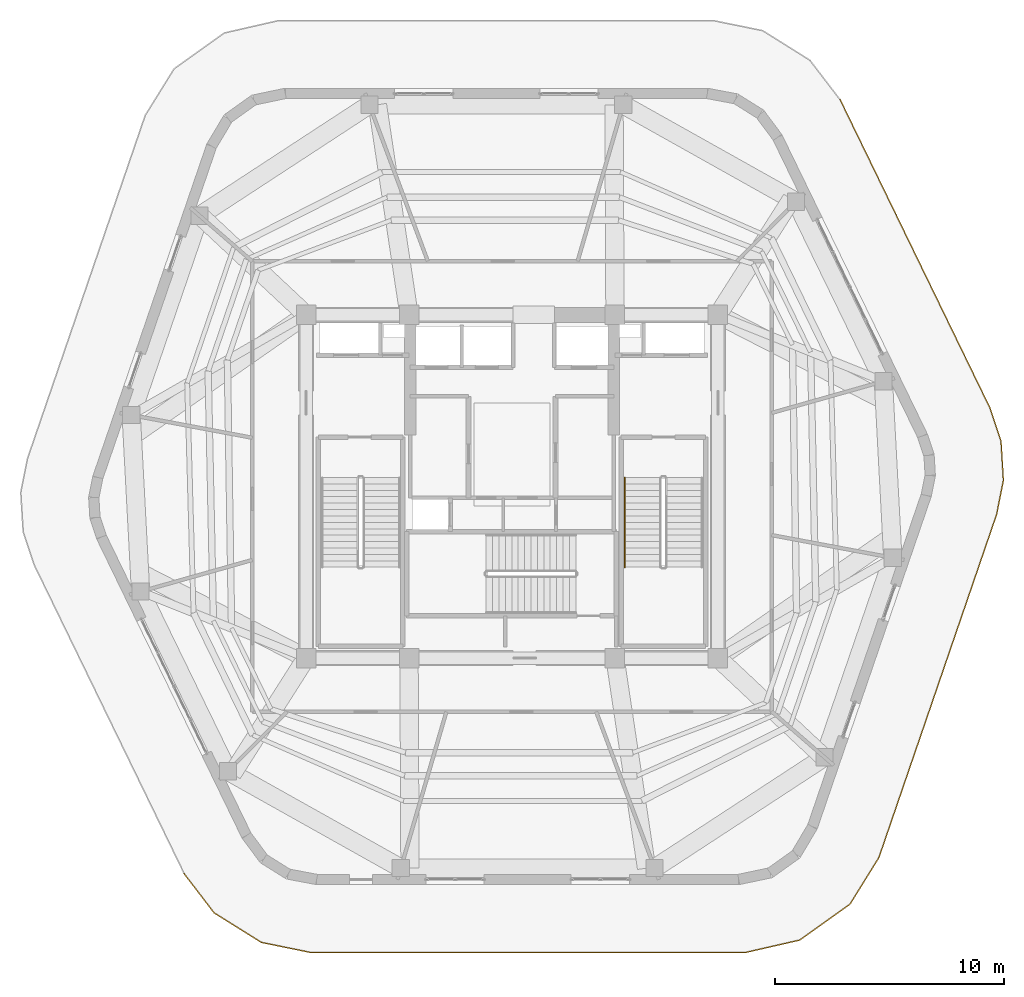
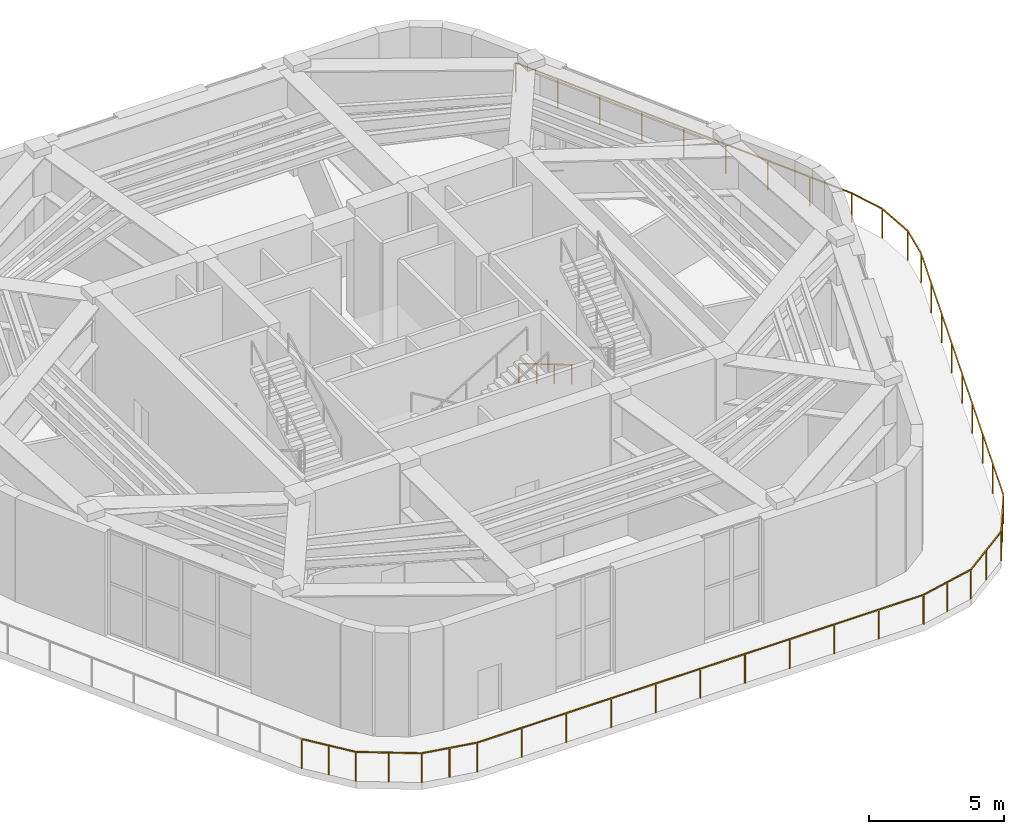
# One storey, part 21 of 24: 2 railings.
"""IFC4 building model written with IfcOpenShell, lengths in metres."""

from ifc_helpers import new_model, si_unit, direction, frame, origin, origin_2d, place, context, subcontext, project, spatial, rectangle, extrude, material, layer, layer_set, type_object, element, save


model = new_model("IFC4")

# Units and contexts
model_context = context("Model", 3, precision=1e-05, world=origin(), true_north=direction((0.0, 1.0)))
body_context = subcontext(model_context, "Body", "Model", "MODEL_VIEW")
ifc_project = project(units=[si_unit("LENGTHUNIT", "METRE"), si_unit("AREAUNIT", "SQUARE_METRE"), si_unit("VOLUMEUNIT", "CUBIC_METRE"), si_unit("PLANEANGLEUNIT", "RADIAN"), si_unit("MASSUNIT", "GRAM", prefix="KILO")], contexts=[model_context])

# Site, building, storey
site_placement = place(None, origin())
site = spatial("IfcSite", under=ifc_project, at=site_placement, CompositionType="ELEMENT")
building_placement = place(site_placement, origin())
building = spatial("IfcBuilding", under=site, at=building_placement, Name="Kilnhurst Terrace Hotel", CompositionType="ELEMENT")
storey_placement = place(building_placement, frame((0.0, 0.0, 305.39990234375)))
storey = spatial("IfcBuildingStorey", under=building, at=storey_placement, Name="L76", CompositionType="ELEMENT", Elevation=305.39990234375)

# Railings
ifc_material_1 = material(Name="Laminated SentryGlas and Stainless Steel AISI 316L Balustrade", Category="steel")
ifc_layer_1 = layer(ifc_material_1, 0.080078125, Name="Laminated SentryGlas and Stainless Steel AISI 316L Balustrade")
ifc_layer_set_1 = layer_set([ifc_layer_1], Name="Laminated SentryGlas and Stainless Steel AISI 316L Balustrade")
railing_type_1 = type_object("IfcRailingType", Name="RLG-OBS-1350", PredefinedType="BALUSTRADE", material=ifc_layer_set_1)
railing_1_placement = place(storey_placement, frame((-14.336181640625, -16.916015625, 0.0)))
element("IfcRailing", 1, at=railing_1_placement, inside=storey, type_object=railing_type_1, Name="L76 Exterior Terrace Guardrail OBS-TERRACE.1", PredefinedType="BALUSTRADE", context=body_context, shape_type="SweptSolid", body=[
    extrude(rectangle(XDim=0.048095703125, YDim=0.048095703125, at=origin_2d()), frame((0.0, 0.0, 1.326171875), z_axis=(0.607860482332, -0.794043848927, 0.0), x_axis=(0.794043848927, 0.607860482332, 0.0)), (0.0, 0.0, 1.0), 2.16357421875),
    extrude(rectangle(XDim=0.048095703125, YDim=0.048095703125, at=origin_2d()), frame((1.315185546875, -1.718017578125, 1.326171875), z_axis=(0.847660710883, -0.530538706623, 0.0), x_axis=(0.530538706623, 0.847660710883, 0.0)), (0.0, 0.0, 1.0), 2.43896484375),
    extrude(rectangle(XDim=0.048095703125, YDim=0.048095703125, at=origin_2d()), frame((3.382568359375, -3.011962890625, 1.326171875), z_axis=(0.979853655875, -0.199716832209, 0.0), x_axis=(0.199716832209, 0.979853655875, 0.0)), (0.0, 0.0, 1.0), 2.163818359375),
    extrude(rectangle(XDim=0.048095703125, YDim=0.048095703125, at=origin_2d()), frame((5.502685546875, -3.444091796875, 1.326171875), z_axis=(1.0, 0.0, 0.0), x_axis=(0.0, 1.0, 0.0)), (0.0, 0.0, 1.0), 19.071533203125),
    extrude(rectangle(XDim=0.048095703125, YDim=0.048095703125, at=origin_2d()), frame((24.57421875, -3.444091796875, 1.326171875), z_axis=(0.97482878768, 0.222954781761, 0.0), x_axis=(-0.222954781761, 0.97482878768, 0.0)), (0.0, 0.0, 1.0), 2.39697265625),
    extrude(rectangle(XDim=0.048095703125, YDim=0.048095703125, at=origin_2d()), frame((26.910888671875, -2.90966796875, 1.326171875), z_axis=(0.813806756231, 0.581135581007, 0.0), x_axis=(-0.581135581007, 0.813806756231, 0.0)), (0.0, 0.0, 1.0), 2.700927734375),
    extrude(rectangle(XDim=0.048095703125, YDim=0.048095703125, at=origin_2d()), frame((29.10888671875, -1.340087890625, 1.326171875), z_axis=(0.52718537445, 0.849750305069, 0.0), x_axis=(-0.849750305069, 0.52718537445, 0.0)), (0.0, 0.0, 1.0), 2.39697265625),
    extrude(rectangle(XDim=0.048095703125, YDim=0.048095703125, at=origin_2d()), frame((30.37255859375, 0.69677734375, 1.326171875), z_axis=(0.324518838659, 0.945879232965, 0.0), x_axis=(-0.945879232965, 0.324518838659, 0.0)), (0.0, 0.0, 1.0), 15.851318359375),
    extrude(rectangle(XDim=0.048095703125, YDim=0.048095703125, at=origin_2d()), frame((35.5166015625, 15.690185546875, 1.326171875), z_axis=(0.195280843055, 0.980747364175, 0.0), x_axis=(-0.980747364175, 0.195280843055, 0.0)), (0.0, 0.0, 1.0), 1.517822265625),
    extrude(rectangle(XDim=0.048095703125, YDim=0.048095703125, at=origin_2d()), frame((35.81298828125, 17.1787109375, 1.326171875), z_axis=(-0.060895492348, 0.998144147411, 0.0), x_axis=(-0.998144147411, -0.060895492348, 0.0)), (0.0, 0.0, 1.0), 1.7119140625),
    extrude(rectangle(XDim=0.048095703125, YDim=0.048095703125, at=origin_2d()), frame((35.708740234375, 18.887451171875, 1.326171875), z_axis=(-0.312993062179, 0.949755412213, 0.0), x_axis=(-0.949755412213, -0.312993062179, 0.0)), (0.0, 0.0, 1.0), 1.517822265625),
    extrude(rectangle(XDim=0.048095703125, YDim=0.048095703125, at=origin_2d()), frame((35.233642578125, 20.3291015625, 1.326171875), z_axis=(-0.437050199805, 0.89943711445, 0.0), x_axis=(-0.89943711445, -0.437050199805, 0.0)), (0.0, 0.0, 1.0), 15.0126953125),
    extrude(rectangle(XDim=0.0419921875, YDim=0.0419921875, at=origin_2d()), origin(), (0.0, 0.0, 1.0), 1.302001953125),
    extrude(rectangle(XDim=0.0419921875, YDim=0.0419921875, at=origin_2d()), frame((0.65771484375, -0.85888671875, 0.0)), (0.0, 0.0, 1.0), 1.302001953125),
    extrude(rectangle(XDim=0.0419921875, YDim=0.0419921875, at=origin_2d()), frame((1.315185546875, -1.718017578125, 0.0)), (0.0, 0.0, 1.0), 1.302001953125),
    extrude(rectangle(XDim=0.0419921875, YDim=0.0419921875, at=origin_2d()), frame((2.348876953125, -2.364990234375, 0.0)), (0.0, 0.0, 1.0), 1.302001953125),
    extrude(rectangle(XDim=0.0419921875, YDim=0.0419921875, at=origin_2d()), frame((3.382568359375, -3.011962890625, 0.0)), (0.0, 0.0, 1.0), 1.302001953125),
    extrude(rectangle(XDim=0.0419921875, YDim=0.0419921875, at=origin_2d()), frame((4.442626953125, -3.22802734375, 0.0)), (0.0, 0.0, 1.0), 1.302001953125),
    extrude(rectangle(XDim=0.0419921875, YDim=0.0419921875, at=origin_2d()), frame((5.502685546875, -3.444091796875, 0.0)), (0.0, 0.0, 1.0), 1.302001953125),
    extrude(rectangle(XDim=0.0419921875, YDim=0.0419921875, at=origin_2d()), frame((7.409912109375, -3.444091796875, 0.0)), (0.0, 0.0, 1.0), 1.302001953125),
    extrude(rectangle(XDim=0.0419921875, YDim=0.0419921875, at=origin_2d()), frame((9.31689453125, -3.444091796875, 0.0)), (0.0, 0.0, 1.0), 1.302001953125),
    extrude(rectangle(XDim=0.0419921875, YDim=0.0419921875, at=origin_2d()), frame((11.22412109375, -3.444091796875, 0.0)), (0.0, 0.0, 1.0), 1.302001953125),
    extrude(rectangle(XDim=0.0419921875, YDim=0.0419921875, at=origin_2d()), frame((13.13134765625, -3.444091796875, 0.0)), (0.0, 0.0, 1.0), 1.302001953125),
    extrude(rectangle(XDim=0.0419921875, YDim=0.0419921875, at=origin_2d()), frame((15.03857421875, -3.444091796875, 0.0)), (0.0, 0.0, 1.0), 1.302001953125),
    extrude(rectangle(XDim=0.0419921875, YDim=0.0419921875, at=origin_2d()), frame((16.945556640625, -3.444091796875, 0.0)), (0.0, 0.0, 1.0), 1.302001953125),
    extrude(rectangle(XDim=0.0419921875, YDim=0.0419921875, at=origin_2d()), frame((18.852783203125, -3.444091796875, 0.0)), (0.0, 0.0, 1.0), 1.302001953125),
    extrude(rectangle(XDim=0.0419921875, YDim=0.0419921875, at=origin_2d()), frame((20.760009765625, -3.444091796875, 0.0)), (0.0, 0.0, 1.0), 1.302001953125),
    extrude(rectangle(XDim=0.0419921875, YDim=0.0419921875, at=origin_2d()), frame((22.6669921875, -3.444091796875, 0.0)), (0.0, 0.0, 1.0), 1.302001953125),
    extrude(rectangle(XDim=0.0419921875, YDim=0.0419921875, at=origin_2d()), frame((24.57421875, -3.444091796875, 0.0)), (0.0, 0.0, 1.0), 1.302001953125),
    extrude(rectangle(XDim=0.0419921875, YDim=0.0419921875, at=origin_2d()), frame((25.74267578125, -3.1767578125, 0.0)), (0.0, 0.0, 1.0), 1.302001953125),
    extrude(rectangle(XDim=0.0419921875, YDim=0.0419921875, at=origin_2d()), frame((26.910888671875, -2.90966796875, 0.0)), (0.0, 0.0, 1.0), 1.302001953125),
    extrude(rectangle(XDim=0.0419921875, YDim=0.0419921875, at=origin_2d()), frame((28.009765625, -2.125, 0.0)), (0.0, 0.0, 1.0), 1.302001953125),
    extrude(rectangle(XDim=0.0419921875, YDim=0.0419921875, at=origin_2d()), frame((29.10888671875, -1.340087890625, 0.0)), (0.0, 0.0, 1.0), 1.302001953125),
    extrude(rectangle(XDim=0.0419921875, YDim=0.0419921875, at=origin_2d()), frame((29.74072265625, -0.32177734375, 0.0)), (0.0, 0.0, 1.0), 1.302001953125),
    extrude(rectangle(XDim=0.0419921875, YDim=0.0419921875, at=origin_2d()), frame((30.37255859375, 0.69677734375, 0.0)), (0.0, 0.0, 1.0), 1.302001953125),
    extrude(rectangle(XDim=0.0419921875, YDim=0.0419921875, at=origin_2d()), frame((31.015625, 2.571044921875, 0.0)), (0.0, 0.0, 1.0), 1.302001953125),
    extrude(rectangle(XDim=0.0419921875, YDim=0.0419921875, at=origin_2d()), frame((31.65869140625, 4.445068359375, 0.0)), (0.0, 0.0, 1.0), 1.302001953125),
    extrude(rectangle(XDim=0.0419921875, YDim=0.0419921875, at=origin_2d()), frame((32.301513671875, 6.3193359375, 0.0)), (0.0, 0.0, 1.0), 1.302001953125),
    extrude(rectangle(XDim=0.0419921875, YDim=0.0419921875, at=origin_2d()), frame((32.944580078125, 8.193359375, 0.0)), (0.0, 0.0, 1.0), 1.302001953125),
    extrude(rectangle(XDim=0.0419921875, YDim=0.0419921875, at=origin_2d()), frame((33.587646484375, 10.067626953125, 0.0)), (0.0, 0.0, 1.0), 1.302001953125),
    extrude(rectangle(XDim=0.0419921875, YDim=0.0419921875, at=origin_2d()), frame((34.23046875, 11.94189453125, 0.0)), (0.0, 0.0, 1.0), 1.302001953125),
    extrude(rectangle(XDim=0.0419921875, YDim=0.0419921875, at=origin_2d()), frame((34.87353515625, 13.81591796875, 0.0)), (0.0, 0.0, 1.0), 1.302001953125),
    extrude(rectangle(XDim=0.0419921875, YDim=0.0419921875, at=origin_2d()), frame((35.5166015625, 15.690185546875, 0.0)), (0.0, 0.0, 1.0), 1.302001953125),
    extrude(rectangle(XDim=0.0419921875, YDim=0.0419921875, at=origin_2d()), frame((35.81298828125, 17.1787109375, 0.0)), (0.0, 0.0, 1.0), 1.302001953125),
    extrude(rectangle(XDim=0.0419921875, YDim=0.0419921875, at=origin_2d()), frame((35.708740234375, 18.887451171875, 0.0)), (0.0, 0.0, 1.0), 1.302001953125),
    extrude(rectangle(XDim=0.0419921875, YDim=0.0419921875, at=origin_2d()), frame((35.233642578125, 20.3291015625, 0.0)), (0.0, 0.0, 1.0), 1.302001953125),
    extrude(rectangle(XDim=0.0419921875, YDim=0.0419921875, at=origin_2d()), frame((34.41357421875, 22.01708984375, 0.0)), (0.0, 0.0, 1.0), 1.302001953125),
    extrude(rectangle(XDim=0.0419921875, YDim=0.0419921875, at=origin_2d()), frame((33.59326171875, 23.704833984375, 0.0)), (0.0, 0.0, 1.0), 1.302001953125),
    extrude(rectangle(XDim=0.0419921875, YDim=0.0419921875, at=origin_2d()), frame((32.773193359375, 25.392578125, 0.0)), (0.0, 0.0, 1.0), 1.302001953125),
    extrude(rectangle(XDim=0.0419921875, YDim=0.0419921875, at=origin_2d()), frame((31.953125, 27.08056640625, 0.0)), (0.0, 0.0, 1.0), 1.302001953125),
    extrude(rectangle(XDim=0.0419921875, YDim=0.0419921875, at=origin_2d()), frame((31.1328125, 28.7685546875, 0.0)), (0.0, 0.0, 1.0), 1.302001953125),
    extrude(rectangle(XDim=0.0419921875, YDim=0.0419921875, at=origin_2d()), frame((30.312744140625, 30.456298828125, 0.0)), (0.0, 0.0, 1.0), 1.302001953125),
    extrude(rectangle(XDim=0.0419921875, YDim=0.0419921875, at=origin_2d()), frame((29.492431640625, 32.14404296875, 0.0)), (0.0, 0.0, 1.0), 1.302001953125),
    extrude(rectangle(XDim=0.0419921875, YDim=0.0419921875, at=origin_2d()), frame((28.67236328125, 33.83203125, 0.0)), (0.0, 0.0, 1.0), 1.302001953125),
])
ifc_material_2 = material(Name="Brushed Stainless Steel AISI 304", Category="steel")
ifc_layer_2 = layer(ifc_material_2, 0.048095703125, Name="Brushed Stainless Steel AISI 304")
ifc_layer_set_2 = layer_set([ifc_layer_2], Name="Brushed Stainless Steel AISI 304")
railing_type_2 = type_object("IfcRailingType", Name="RLG-ST-HRL-900", PredefinedType="HANDRAIL", material=ifc_layer_set_2)
railing_2_placement = place(storey_placement, frame((4.929931640625, 0.389892578125, 0.166748046875)))
element("IfcRailing", 2, at=railing_2_placement, inside=storey, type_object=railing_type_2, Name="L76 ST-2 stair handrail 1", PredefinedType="HANDRAIL", context=body_context, shape_type="SweptSolid", body=[
    extrude(rectangle(XDim=0.048095703125, YDim=0.048095703125, at=origin_2d()), frame((0.0, 0.0, 0.8759765625), z_axis=(0.0, -0.859296244711, 0.511478214419), x_axis=(1.0, 0.0, 0.0)), (0.0, 0.0, 1.0), 4.561767578125),
    extrude(rectangle(XDim=0.0419921875, YDim=0.0419921875, at=origin_2d()), origin(), (0.0, 0.0, 1.0), 0.851806640625),
    extrude(rectangle(XDim=0.0419921875, YDim=0.0419921875, at=origin_2d()), frame((0.0, -1.306640625, 0.77783203125)), (0.0, 0.0, 1.0), 0.851806640625),
    extrude(rectangle(XDim=0.0419921875, YDim=0.0419921875, at=origin_2d()), frame((0.0, -2.61328125, 1.555419921875)), (0.0, 0.0, 1.0), 0.851806640625),
    extrude(rectangle(XDim=0.0419921875, YDim=0.0419921875, at=origin_2d()), frame((0.0, -3.919921875, 2.333251953125)), (0.0, 0.0, 1.0), 0.851806640625),
])

save(model, "model.ifc")
